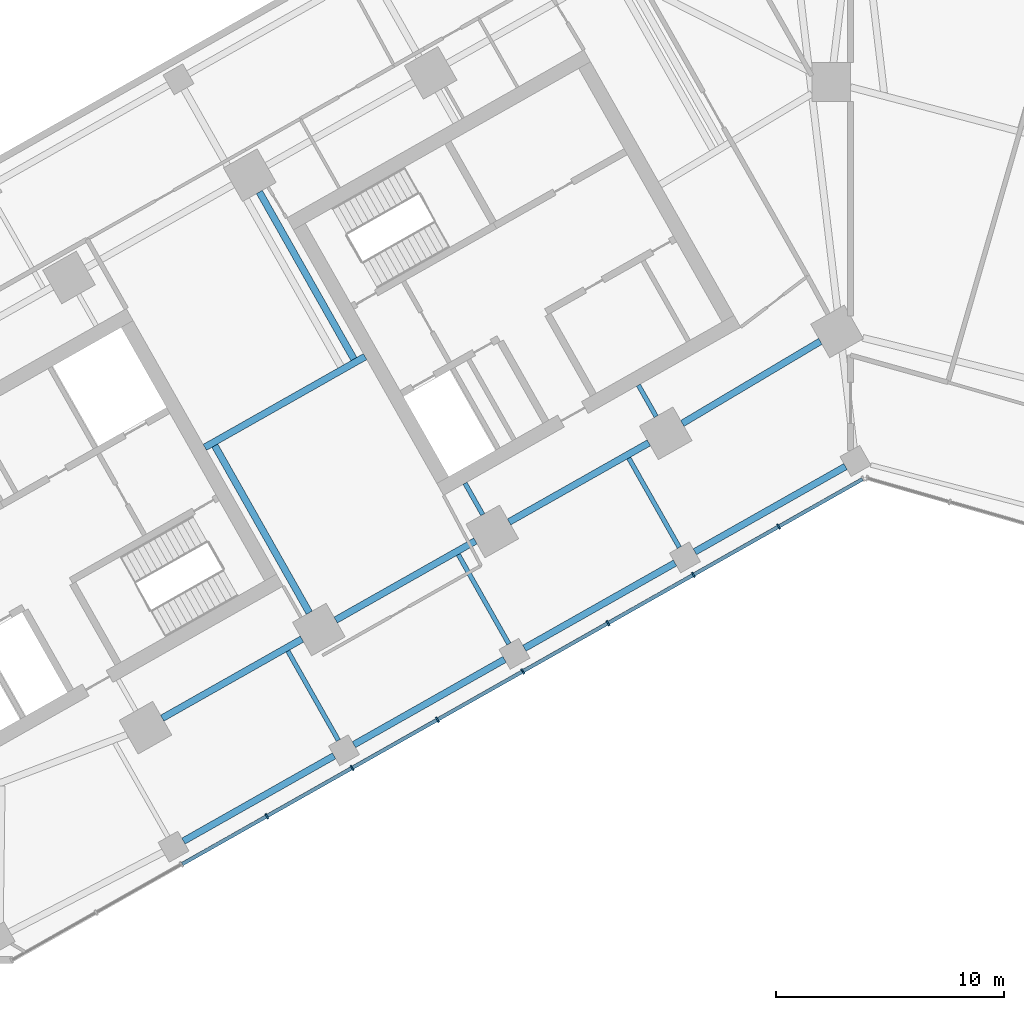
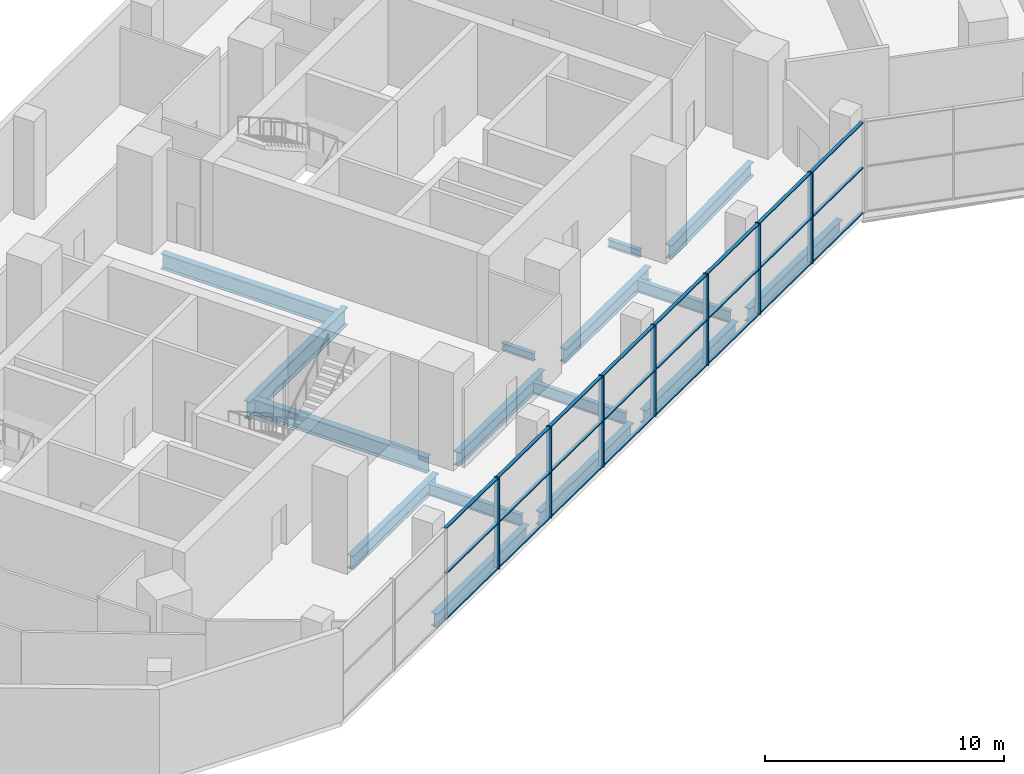
# One storey, part 3 of 15: 31 members, 16 beams, 1 element without a shape of its own.
"""IFC4 building model written with IfcOpenShell, lengths in metres."""

from ifc_helpers import new_model, si_unit, direction, frame, origin, origin_2d, place, context, subcontext, project, spatial, rectangle, i_section, extrude, material, material_profile, profile_set, type_object, element, aggregate, save


model = new_model("IFC4")

# Units and contexts
model_context = context("Model", 3, precision=1e-05, world=origin(), true_north=direction((0.0, 1.0)))
body_context = subcontext(model_context, "Body", "Model", "MODEL_VIEW")
ifc_project = project(units=[si_unit("LENGTHUNIT", "METRE"), si_unit("AREAUNIT", "SQUARE_METRE"), si_unit("VOLUMEUNIT", "CUBIC_METRE"), si_unit("PLANEANGLEUNIT", "RADIAN"), si_unit("MASSUNIT", "GRAM", prefix="KILO")], contexts=[model_context])

# Site, building, storey
site_placement = place(None, origin())
site = spatial("IfcSite", under=ifc_project, at=site_placement, CompositionType="ELEMENT")
building_placement = place(site_placement, origin())
building = spatial("IfcBuilding", under=site, at=building_placement, Name="Binnacle Exchange Tower", CompositionType="ELEMENT")
storey_placement = place(building_placement, frame((0.0, 0.0, 16.5)))
storey = spatial("IfcBuildingStorey", under=building, at=storey_placement, Name="L03", CompositionType="ELEMENT", Elevation=16.5)

# Curtain wall, members
ifc_material_1 = material(Name="Bronze anodised aluminium frame", Category="aluminium")
curtain_wall_type = type_object("IfcCurtainWallType", Name="External wall - curtain wall podium harbour front", PredefinedType="NOTDEFINED", material=ifc_material_1)
curtain_wall_placement = place(storey_placement, origin())
curtain_wall = element("IfcCurtainWall", 1, at=curtain_wall_placement, inside=storey, type_object=curtain_wall_type, Name="External wall curtain wall CW3-P06 L03", PredefinedType="NOTDEFINED")
ifc_material_profile_1 = material_profile(ifc_material_1, rectangle(XDim=0.25, YDim=0.070068359375, at=origin_2d()), Name="AL 70x250")
ifc_profile_set_1 = profile_set([ifc_material_profile_1], Name="Bronze anodised aluminium frame")
member_type_1 = type_object("IfcMemberType", Name="CW3 MULLION 70x250", PredefinedType="MULLION", material=ifc_profile_set_1)
member_1_placement = place(storey_placement, frame((-25.6416015625, 27.747802734375, 0.0), z_axis=(0.0, 0.0, 1.0), x_axis=(-0.492423763004, 0.870355581144, 0.0)))
member_1 = element("IfcMember", 2, at=member_1_placement, type_object=member_type_1, Name="CW3-P06 mullion 4", PredefinedType="MULLION", context=body_context, shape_type="SweptSolid", body=[
    extrude(rectangle(XDim=0.25, YDim=0.070068359375, at=origin_2d()), origin(), (0.0, 0.0, 1.0), 4.64990234375),
])
member_2_placement = place(storey_placement, frame((-21.89404296875, 29.8681640625, 0.0), z_axis=(0.0, 0.0, 1.0), x_axis=(-0.492423763004, 0.870355581144, 0.0)))
member_2 = element("IfcMember", 3, at=member_2_placement, type_object=member_type_1, Name="CW3-P06 mullion 5", PredefinedType="MULLION", context=body_context, shape_type="SweptSolid", body=[
    extrude(rectangle(XDim=0.25, YDim=0.070068359375, at=origin_2d()), origin(), (0.0, 0.0, 1.0), 4.64990234375),
])
member_3_placement = place(storey_placement, frame((-18.146484375, 31.988525390625, 0.0), z_axis=(0.0, 0.0, 1.0), x_axis=(-0.492423763004, 0.870355581144, 0.0)))
member_3 = element("IfcMember", 4, at=member_3_placement, type_object=member_type_1, Name="CW3-P06 mullion 6", PredefinedType="MULLION", context=body_context, shape_type="SweptSolid", body=[
    extrude(rectangle(XDim=0.25, YDim=0.070068359375, at=origin_2d()), origin(), (0.0, 0.0, 1.0), 4.64990234375),
])
member_4_placement = place(storey_placement, frame((-14.39892578125, 34.108642578125, 0.0), z_axis=(0.0, 0.0, 1.0), x_axis=(-0.492423763004, 0.870355581144, 0.0)))
member_4 = element("IfcMember", 5, at=member_4_placement, type_object=member_type_1, Name="CW3-P06 mullion 7", PredefinedType="MULLION", context=body_context, shape_type="SweptSolid", body=[
    extrude(rectangle(XDim=0.25, YDim=0.070068359375, at=origin_2d()), origin(), (0.0, 0.0, 1.0), 4.64990234375),
])
member_5_placement = place(storey_placement, frame((-10.651123046875, 36.22900390625, 0.0), z_axis=(0.0, 0.0, 1.0), x_axis=(-0.492423763004, 0.870355581144, 0.0)))
member_5 = element("IfcMember", 6, at=member_5_placement, type_object=member_type_1, Name="CW3-P06 mullion 8", PredefinedType="MULLION", context=body_context, shape_type="SweptSolid", body=[
    extrude(rectangle(XDim=0.25, YDim=0.070068359375, at=origin_2d()), origin(), (0.0, 0.0, 1.0), 4.64990234375),
])
member_6_placement = place(storey_placement, frame((-6.903564453125, 38.349365234375, 0.0), z_axis=(0.0, 0.0, 1.0), x_axis=(-0.492423763004, 0.870355581144, 0.0)))
member_6 = element("IfcMember", 7, at=member_6_placement, type_object=member_type_1, Name="CW3-P06 mullion 9", PredefinedType="MULLION", context=body_context, shape_type="SweptSolid", body=[
    extrude(rectangle(XDim=0.25, YDim=0.070068359375, at=origin_2d()), origin(), (0.0, 0.0, 1.0), 4.64990234375),
])
member_7_placement = place(storey_placement, frame((-3.156005859375, 40.4697265625, 0.0), z_axis=(0.0, 0.0, 1.0), x_axis=(-0.492423763004, 0.870355581144, 0.0)))
member_7 = element("IfcMember", 8, at=member_7_placement, type_object=member_type_1, Name="CW3-P06 mullion 10", PredefinedType="MULLION", context=body_context, shape_type="SweptSolid", body=[
    extrude(rectangle(XDim=0.25, YDim=0.070068359375, at=origin_2d()), origin(), (0.0, 0.0, 1.0), 4.64990234375),
])
ifc_material_profile_2 = material_profile(ifc_material_1, rectangle(XDim=0.159912109375, YDim=0.050048828125, at=origin_2d()), Name="AL 160x50")
ifc_profile_set_2 = profile_set([ifc_material_profile_2], Name="Bronze anodised aluminium frame")
member_type_2 = type_object("IfcMemberType", Name="CW3 TRANSOM 50x160", PredefinedType="USERDEFINED", material=ifc_profile_set_2)
member_8_placement = place(storey_placement, frame((-29.35888671875, 25.644775390625, 0.02490234375), z_axis=(0.870373844637, 0.49239148101, 0.0), x_axis=(-0.49239148101, 0.870373844637, 0.0)))
member_8 = element("IfcMember", 9, at=member_8_placement, type_object=member_type_2, Name="CW3-P06 transom 3.1", ObjectType="TRANSOM", PredefinedType="USERDEFINED", context=body_context, shape_type="SweptSolid", body=[
    extrude(rectangle(XDim=0.159912109375, YDim=0.050048828125, at=origin_2d()), origin(), (0.0, 0.0, 1.0), 4.23583984375),
])
member_9_placement = place(storey_placement, frame((-29.35888671875, 25.644775390625, 2.324951171875), z_axis=(0.870373844637, 0.49239148101, 0.0), x_axis=(-0.49239148101, 0.870373844637, 0.0)))
member_9 = element("IfcMember", 10, at=member_9_placement, type_object=member_type_2, Name="CW3-P06 transom 3.2", ObjectType="TRANSOM", PredefinedType="USERDEFINED", context=body_context, shape_type="SweptSolid", body=[
    extrude(rectangle(XDim=0.159912109375, YDim=0.050048828125, at=origin_2d()), origin(), (0.0, 0.0, 1.0), 4.23583984375),
])
member_10_placement = place(storey_placement, frame((-29.35888671875, 25.644775390625, 4.625), z_axis=(0.870373844637, 0.49239148101, 0.0), x_axis=(-0.49239148101, 0.870373844637, 0.0)))
member_10 = element("IfcMember", 11, at=member_10_placement, type_object=member_type_2, Name="CW3-P06 transom 3.3", ObjectType="TRANSOM", PredefinedType="USERDEFINED", context=body_context, shape_type="SweptSolid", body=[
    extrude(rectangle(XDim=0.159912109375, YDim=0.050048828125, at=origin_2d()), origin(), (0.0, 0.0, 1.0), 4.23583984375),
])
member_11_placement = place(storey_placement, frame((-25.611083984375, 27.76513671875, 0.02490234375), z_axis=(0.870359869571, 0.492416183162, 0.0), x_axis=(-0.492416183162, 0.870359869571, 0.0)))
member_11 = element("IfcMember", 12, at=member_11_placement, type_object=member_type_2, Name="CW3-P06 transom 4.1", ObjectType="TRANSOM", PredefinedType="USERDEFINED", context=body_context, shape_type="SweptSolid", body=[
    extrude(rectangle(XDim=0.159912109375, YDim=0.050048828125, at=origin_2d()), origin(), (0.0, 0.0, 1.0), 4.235595703125),
])
member_12_placement = place(storey_placement, frame((-25.611083984375, 27.76513671875, 2.324951171875), z_axis=(0.870359869571, 0.492416183162, 0.0), x_axis=(-0.492416183162, 0.870359869571, 0.0)))
member_12 = element("IfcMember", 13, at=member_12_placement, type_object=member_type_2, Name="CW3-P06 transom 4.2", ObjectType="TRANSOM", PredefinedType="USERDEFINED", context=body_context, shape_type="SweptSolid", body=[
    extrude(rectangle(XDim=0.159912109375, YDim=0.050048828125, at=origin_2d()), origin(), (0.0, 0.0, 1.0), 4.235595703125),
])
member_13_placement = place(storey_placement, frame((-25.611083984375, 27.76513671875, 4.625), z_axis=(0.870359869571, 0.492416183162, 0.0), x_axis=(-0.492416183162, 0.870359869571, 0.0)))
member_13 = element("IfcMember", 14, at=member_13_placement, type_object=member_type_2, Name="CW3-P06 transom 4.3", ObjectType="TRANSOM", PredefinedType="USERDEFINED", context=body_context, shape_type="SweptSolid", body=[
    extrude(rectangle(XDim=0.159912109375, YDim=0.050048828125, at=origin_2d()), origin(), (0.0, 0.0, 1.0), 4.235595703125),
])
member_14_placement = place(storey_placement, frame((-21.863525390625, 29.88525390625, 0.02490234375), z_axis=(0.870335165984, 0.492459844912, 0.0), x_axis=(-0.492459844912, 0.870335165984, 0.0)))
member_14 = element("IfcMember", 15, at=member_14_placement, type_object=member_type_2, Name="CW3-P06 transom 5.1", ObjectType="TRANSOM", PredefinedType="USERDEFINED", context=body_context, shape_type="SweptSolid", body=[
    extrude(rectangle(XDim=0.159912109375, YDim=0.050048828125, at=origin_2d()), origin(), (0.0, 0.0, 1.0), 4.23583984375),
])
member_15_placement = place(storey_placement, frame((-21.863525390625, 29.88525390625, 2.324951171875), z_axis=(0.870335165984, 0.492459844912, 0.0), x_axis=(-0.492459844912, 0.870335165984, 0.0)))
member_15 = element("IfcMember", 16, at=member_15_placement, type_object=member_type_2, Name="CW3-P06 transom 5.2", ObjectType="TRANSOM", PredefinedType="USERDEFINED", context=body_context, shape_type="SweptSolid", body=[
    extrude(rectangle(XDim=0.159912109375, YDim=0.050048828125, at=origin_2d()), origin(), (0.0, 0.0, 1.0), 4.23583984375),
])
member_16_placement = place(storey_placement, frame((-21.863525390625, 29.88525390625, 4.625), z_axis=(0.870335165984, 0.492459844912, 0.0), x_axis=(-0.492459844912, 0.870335165984, 0.0)))
member_16 = element("IfcMember", 17, at=member_16_placement, type_object=member_type_2, Name="CW3-P06 transom 5.3", ObjectType="TRANSOM", PredefinedType="USERDEFINED", context=body_context, shape_type="SweptSolid", body=[
    extrude(rectangle(XDim=0.159912109375, YDim=0.050048828125, at=origin_2d()), origin(), (0.0, 0.0, 1.0), 4.23583984375),
])
member_17_placement = place(storey_placement, frame((-18.115966796875, 32.005615234375, 0.02490234375), z_axis=(0.870349143132, 0.492435141972, 0.0), x_axis=(-0.492435141972, 0.870349143132, 0.0)))
member_17 = element("IfcMember", 18, at=member_17_placement, type_object=member_type_2, Name="CW3-P06 transom 6.1", ObjectType="TRANSOM", PredefinedType="USERDEFINED", context=body_context, shape_type="SweptSolid", body=[
    extrude(rectangle(XDim=0.159912109375, YDim=0.050048828125, at=origin_2d()), origin(), (0.0, 0.0, 1.0), 4.236083984375),
])
member_18_placement = place(storey_placement, frame((-18.115966796875, 32.005615234375, 2.324951171875), z_axis=(0.870349143132, 0.492435141972, 0.0), x_axis=(-0.492435141972, 0.870349143132, 0.0)))
member_18 = element("IfcMember", 19, at=member_18_placement, type_object=member_type_2, Name="CW3-P06 transom 6.2", ObjectType="TRANSOM", PredefinedType="USERDEFINED", context=body_context, shape_type="SweptSolid", body=[
    extrude(rectangle(XDim=0.159912109375, YDim=0.050048828125, at=origin_2d()), origin(), (0.0, 0.0, 1.0), 4.236083984375),
])
member_19_placement = place(storey_placement, frame((-18.115966796875, 32.005615234375, 4.625), z_axis=(0.870349143132, 0.492435141972, 0.0), x_axis=(-0.492435141972, 0.870349143132, 0.0)))
member_19 = element("IfcMember", 20, at=member_19_placement, type_object=member_type_2, Name="CW3-P06 transom 6.3", ObjectType="TRANSOM", PredefinedType="USERDEFINED", context=body_context, shape_type="SweptSolid", body=[
    extrude(rectangle(XDim=0.159912109375, YDim=0.050048828125, at=origin_2d()), origin(), (0.0, 0.0, 1.0), 4.236083984375),
])
member_20_placement = place(storey_placement, frame((-14.368408203125, 34.1259765625, 0.02490234375), z_axis=(0.870373844637, 0.49239148101, 0.0), x_axis=(-0.49239148101, 0.870373844637, 0.0)))
member_20 = element("IfcMember", 21, at=member_20_placement, type_object=member_type_2, Name="CW3-P06 transom 7.1", ObjectType="TRANSOM", PredefinedType="USERDEFINED", context=body_context, shape_type="SweptSolid", body=[
    extrude(rectangle(XDim=0.159912109375, YDim=0.050048828125, at=origin_2d()), origin(), (0.0, 0.0, 1.0), 4.23583984375),
])
member_21_placement = place(storey_placement, frame((-14.368408203125, 34.1259765625, 2.324951171875), z_axis=(0.870373844637, 0.49239148101, 0.0), x_axis=(-0.49239148101, 0.870373844637, 0.0)))
member_21 = element("IfcMember", 22, at=member_21_placement, type_object=member_type_2, Name="CW3-P06 transom 7.2", ObjectType="TRANSOM", PredefinedType="USERDEFINED", context=body_context, shape_type="SweptSolid", body=[
    extrude(rectangle(XDim=0.159912109375, YDim=0.050048828125, at=origin_2d()), origin(), (0.0, 0.0, 1.0), 4.23583984375),
])
member_22_placement = place(storey_placement, frame((-14.368408203125, 34.1259765625, 4.625), z_axis=(0.870373844637, 0.49239148101, 0.0), x_axis=(-0.49239148101, 0.870373844637, 0.0)))
member_22 = element("IfcMember", 23, at=member_22_placement, type_object=member_type_2, Name="CW3-P06 transom 7.3", ObjectType="TRANSOM", PredefinedType="USERDEFINED", context=body_context, shape_type="SweptSolid", body=[
    extrude(rectangle(XDim=0.159912109375, YDim=0.050048828125, at=origin_2d()), origin(), (0.0, 0.0, 1.0), 4.23583984375),
])
member_23_placement = place(storey_placement, frame((-10.620849609375, 36.246337890625, 0.02490234375), z_axis=(0.870373844637, 0.49239148101, 0.0), x_axis=(-0.49239148101, 0.870373844637, 0.0)))
member_23 = element("IfcMember", 24, at=member_23_placement, type_object=member_type_2, Name="CW3-P06 transom 8.1", ObjectType="TRANSOM", PredefinedType="USERDEFINED", context=body_context, shape_type="SweptSolid", body=[
    extrude(rectangle(XDim=0.159912109375, YDim=0.050048828125, at=origin_2d()), origin(), (0.0, 0.0, 1.0), 4.23583984375),
])
member_24_placement = place(storey_placement, frame((-10.620849609375, 36.246337890625, 2.324951171875), z_axis=(0.870373844637, 0.49239148101, 0.0), x_axis=(-0.49239148101, 0.870373844637, 0.0)))
member_24 = element("IfcMember", 25, at=member_24_placement, type_object=member_type_2, Name="CW3-P06 transom 8.2", ObjectType="TRANSOM", PredefinedType="USERDEFINED", context=body_context, shape_type="SweptSolid", body=[
    extrude(rectangle(XDim=0.159912109375, YDim=0.050048828125, at=origin_2d()), origin(), (0.0, 0.0, 1.0), 4.23583984375),
])
member_25_placement = place(storey_placement, frame((-10.620849609375, 36.246337890625, 4.625), z_axis=(0.870373844637, 0.49239148101, 0.0), x_axis=(-0.49239148101, 0.870373844637, 0.0)))
member_25 = element("IfcMember", 26, at=member_25_placement, type_object=member_type_2, Name="CW3-P06 transom 8.3", ObjectType="TRANSOM", PredefinedType="USERDEFINED", context=body_context, shape_type="SweptSolid", body=[
    extrude(rectangle(XDim=0.159912109375, YDim=0.050048828125, at=origin_2d()), origin(), (0.0, 0.0, 1.0), 4.23583984375),
])
member_26_placement = place(storey_placement, frame((-6.873046875, 38.366455078125, 0.02490234375), z_axis=(0.870335165984, 0.492459844912, 0.0), x_axis=(-0.492459844912, 0.870335165984, 0.0)))
member_26 = element("IfcMember", 27, at=member_26_placement, type_object=member_type_2, Name="CW3-P06 transom 9.1", ObjectType="TRANSOM", PredefinedType="USERDEFINED", context=body_context, shape_type="SweptSolid", body=[
    extrude(rectangle(XDim=0.159912109375, YDim=0.050048828125, at=origin_2d()), origin(), (0.0, 0.0, 1.0), 4.23583984375),
])
member_27_placement = place(storey_placement, frame((-6.873046875, 38.366455078125, 2.324951171875), z_axis=(0.870335165984, 0.492459844912, 0.0), x_axis=(-0.492459844912, 0.870335165984, 0.0)))
member_27 = element("IfcMember", 28, at=member_27_placement, type_object=member_type_2, Name="CW3-P06 transom 9.2", ObjectType="TRANSOM", PredefinedType="USERDEFINED", context=body_context, shape_type="SweptSolid", body=[
    extrude(rectangle(XDim=0.159912109375, YDim=0.050048828125, at=origin_2d()), origin(), (0.0, 0.0, 1.0), 4.23583984375),
])
member_28_placement = place(storey_placement, frame((-6.873046875, 38.366455078125, 4.625), z_axis=(0.870335165984, 0.492459844912, 0.0), x_axis=(-0.492459844912, 0.870335165984, 0.0)))
member_28 = element("IfcMember", 29, at=member_28_placement, type_object=member_type_2, Name="CW3-P06 transom 9.3", ObjectType="TRANSOM", PredefinedType="USERDEFINED", context=body_context, shape_type="SweptSolid", body=[
    extrude(rectangle(XDim=0.159912109375, YDim=0.050048828125, at=origin_2d()), origin(), (0.0, 0.0, 1.0), 4.23583984375),
])
member_29_placement = place(storey_placement, frame((-3.12548828125, 40.48681640625, 0.02490234375), z_axis=(0.870356022884, 0.492422982231, 0.0), x_axis=(-0.492422982231, 0.870356022884, 0.0)))
member_29 = element("IfcMember", 30, at=member_29_placement, type_object=member_type_2, Name="CW3-P06 transom 10.1", ObjectType="TRANSOM", PredefinedType="USERDEFINED", context=body_context, shape_type="SweptSolid", body=[
    extrude(rectangle(XDim=0.159912109375, YDim=0.050048828125, at=origin_2d()), origin(), (0.0, 0.0, 1.0), 4.200927734375),
])
member_30_placement = place(storey_placement, frame((-3.12548828125, 40.48681640625, 2.324951171875), z_axis=(0.870356022884, 0.492422982231, 0.0), x_axis=(-0.492422982231, 0.870356022884, 0.0)))
member_30 = element("IfcMember", 31, at=member_30_placement, type_object=member_type_2, Name="CW3-P06 transom 10.2", ObjectType="TRANSOM", PredefinedType="USERDEFINED", context=body_context, shape_type="SweptSolid", body=[
    extrude(rectangle(XDim=0.159912109375, YDim=0.050048828125, at=origin_2d()), origin(), (0.0, 0.0, 1.0), 4.200927734375),
])
member_31_placement = place(storey_placement, frame((-3.12548828125, 40.48681640625, 4.625), z_axis=(0.870356022884, 0.492422982231, 0.0), x_axis=(-0.492422982231, 0.870356022884, 0.0)))
member_31 = element("IfcMember", 32, at=member_31_placement, type_object=member_type_2, Name="CW3-P06 transom 10.3", ObjectType="TRANSOM", PredefinedType="USERDEFINED", context=body_context, shape_type="SweptSolid", body=[
    extrude(rectangle(XDim=0.159912109375, YDim=0.050048828125, at=origin_2d()), origin(), (0.0, 0.0, 1.0), 4.200927734375),
])
aggregate(curtain_wall, [member_1, member_2, member_3, member_4, member_5, member_6, member_7, member_8, member_9, member_10, member_11, member_12, member_13, member_14, member_15, member_16, member_17, member_18, member_19, member_20, member_21, member_22, member_23, member_24, member_25, member_26, member_27, member_28, member_29, member_30, member_31])

# Beams
ifc_material_2 = material(Name="Steel S355 (SHN355)", Category="steel")
ifc_material_profile_3 = material_profile(ifc_material_2, i_section(OverallWidth=0.300048828125, OverallDepth=0.699951171875, WebThickness=0.012939453125, FlangeThickness=0.02392578125, FilletRadius=0.028076171875, at=origin_2d()), Name="H 700x300x13x24")
ifc_profile_set_3 = profile_set([ifc_material_profile_3], Name="Steel S355 (SHN355)")
beam_type_1 = type_object("IfcBeamType", Name="Edge girder H 700x300x13x24 Steel S355 (SHN355)", PredefinedType="SPANDREL", material=ifc_profile_set_3)
beam_1_placement = place(storey_placement, frame((-30.23583984375, 32.053955078125, -0.699951171875), z_axis=(0.870373276953, 0.492392484473, 0.0), x_axis=(-0.492392484473, 0.870373276953, 0.0)))
element("IfcBeam", 33, at=beam_1_placement, inside=storey, type_object=beam_type_1, Name="S:BM:edge:L03:028", PredefinedType="SPANDREL", context=body_context, shape_type="SweptSolid", body=[
    extrude(i_section(OverallWidth=0.300048828125, OverallDepth=0.699951171875, WebThickness=0.012939453125, FlangeThickness=0.02392578125, FilletRadius=0.028076171875, at=origin_2d()), origin(), (0.0, 0.0, 1.0), 7.0546875),
])
beam_2_placement = place(storey_placement, frame((-22.68603515625, 30.396728515625, -0.699951171875), z_axis=(-0.870352907673, -0.492428488316, 0.0), x_axis=(0.492428488316, -0.870352907673, 0.0)))
element("IfcBeam", 34, at=beam_2_placement, inside=storey, type_object=beam_type_1, Name="S:BM:edge:L03:032", PredefinedType="SPANDREL", context=body_context, shape_type="SweptSolid", body=[
    extrude(i_section(OverallWidth=0.300048828125, OverallDepth=0.699951171875, WebThickness=0.012939453125, FlangeThickness=0.02392578125, FilletRadius=0.028076171875, at=origin_2d()), origin(), (0.0, 0.0, 1.0), 7.60546875),
])
beam_3_placement = place(storey_placement, frame((-22.6162109375, 36.36474609375, -0.699951171875), z_axis=(0.870350053651, 0.492433532681, 0.0), x_axis=(-0.492433532681, 0.870350053651, 0.0)))
element("IfcBeam", 35, at=beam_3_placement, inside=storey, type_object=beam_type_1, Name="S:BM:edge:L03:033", PredefinedType="SPANDREL", context=body_context, shape_type="SweptSolid", body=[
    extrude(i_section(OverallWidth=0.300048828125, OverallDepth=0.699951171875, WebThickness=0.012939453125, FlangeThickness=0.02392578125, FilletRadius=0.028076171875, at=origin_2d()), origin(), (0.0, 0.0, 1.0), 7.054443359375),
])
beam_4_placement = place(storey_placement, frame((-15.1962890625, 34.63427734375, -0.699951171875), z_axis=(-0.870352907673, -0.492428488316, 0.0), x_axis=(0.492428488316, -0.870352907673, 0.0)))
element("IfcBeam", 36, at=beam_4_placement, inside=storey, type_object=beam_type_1, Name="S:BM:edge:L03:036", PredefinedType="SPANDREL", context=body_context, shape_type="SweptSolid", body=[
    extrude(i_section(OverallWidth=0.300048828125, OverallDepth=0.699951171875, WebThickness=0.012939453125, FlangeThickness=0.02392578125, FilletRadius=0.028076171875, at=origin_2d()), origin(), (0.0, 0.0, 1.0), 7.60546875),
])
beam_5_placement = place(storey_placement, frame((-14.99658203125, 40.67578125, -0.699951171875), z_axis=(0.870364886025, 0.492407316329, 0.0), x_axis=(-0.492407316329, 0.870364886025, 0.0)))
element("IfcBeam", 37, at=beam_5_placement, inside=storey, type_object=beam_type_1, Name="S:BM:edge:L03:037", PredefinedType="SPANDREL", context=body_context, shape_type="SweptSolid", body=[
    extrude(i_section(OverallWidth=0.300048828125, OverallDepth=0.699951171875, WebThickness=0.012939453125, FlangeThickness=0.02392578125, FilletRadius=0.028076171875, at=origin_2d()), origin(), (0.0, 0.0, 1.0), 7.054443359375),
])
beam_6_placement = place(storey_placement, frame((-7.706298828125, 38.871826171875, -0.699951171875), z_axis=(-0.870352907673, -0.492428488316, 0.0), x_axis=(0.492428488316, -0.870352907673, 0.0)))
element("IfcBeam", 38, at=beam_6_placement, inside=storey, type_object=beam_type_1, Name="S:BM:edge:L03:040", PredefinedType="SPANDREL", context=body_context, shape_type="SweptSolid", body=[
    extrude(i_section(OverallWidth=0.300048828125, OverallDepth=0.699951171875, WebThickness=0.012939453125, FlangeThickness=0.02392578125, FilletRadius=0.028076171875, at=origin_2d()), origin(), (0.0, 0.0, 1.0), 7.60546875),
])
beam_7_placement = place(storey_placement, frame((-7.38623046875, 45.002685546875, -0.699951171875), z_axis=(0.859464815262, 0.511194905419, 0.0), x_axis=(-0.511194905419, 0.859464815262, 0.0)))
element("IfcBeam", 39, at=beam_7_placement, inside=storey, type_object=beam_type_1, Name="S:BM:edge:L03:041", PredefinedType="SPANDREL", context=body_context, shape_type="SweptSolid", body=[
    extrude(i_section(OverallWidth=0.300048828125, OverallDepth=0.699951171875, WebThickness=0.012939453125, FlangeThickness=0.02392578125, FilletRadius=0.028076171875, at=origin_2d()), origin(), (0.0, 0.0, 1.0), 7.056396484375),
])
beam_8_placement = place(storey_placement, frame((-0.216552734375, 43.109375, -0.699951171875), z_axis=(-0.870352907673, -0.492428488316, 0.0), x_axis=(0.492428488316, -0.870352907673, 0.0)))
element("IfcBeam", 40, at=beam_8_placement, inside=storey, type_object=beam_type_1, Name="S:BM:edge:L03:044", PredefinedType="SPANDREL", context=body_context, shape_type="SweptSolid", body=[
    extrude(i_section(OverallWidth=0.300048828125, OverallDepth=0.699951171875, WebThickness=0.012939453125, FlangeThickness=0.02392578125, FilletRadius=0.028076171875, at=origin_2d()), origin(), (0.0, 0.0, 1.0), 7.60546875),
])
ifc_material_profile_4 = material_profile(ifc_material_2, i_section(OverallWidth=0.199951171875, OverallDepth=0.39990234375, WebThickness=0.008056640625, FlangeThickness=0.012939453125, FilletRadius=0.01611328125, at=origin_2d()), Name="H 400x200x8x13")
ifc_profile_set_4 = profile_set([ifc_material_profile_4], Name="Steel S355 (SHN355)")
beam_type_2 = type_object("IfcBeamType", Name="Floor beam H 400x200x8x13 Steel S355 (SHN355)", PredefinedType="BEAM", material=ifc_profile_set_4)
beam_9_placement = place(storey_placement, frame((-16.155029296875, 40.9970703125, -0.550048828125), z_axis=(-0.492366981934, 0.870387703901, 0.0), x_axis=(-0.870387703901, -0.492366981934, 0.0)))
element("IfcBeam", 41, at=beam_9_placement, inside=storey, type_object=beam_type_2, Name="S:BM:cross:L03:095", PredefinedType="BEAM", context=body_context, shape_type="SweptSolid", body=[
    extrude(i_section(OverallWidth=0.199951171875, OverallDepth=0.39990234375, WebThickness=0.008056640625, FlangeThickness=0.012939453125, FilletRadius=0.01611328125, at=origin_2d()), origin(), (0.0, 0.0, 1.0), 1.584228515625),
])
beam_10_placement = place(storey_placement, frame((-8.535400390625, 45.307861328125, -0.550048828125), z_axis=(-0.492483715062, 0.870321659158, 0.0), x_axis=(-0.870321659158, -0.492483715062, 0.0)))
element("IfcBeam", 42, at=beam_10_placement, inside=storey, type_object=beam_type_2, Name="S:BM:cross:L03:099", PredefinedType="BEAM", context=body_context, shape_type="SweptSolid", body=[
    extrude(i_section(OverallWidth=0.199951171875, OverallDepth=0.39990234375, WebThickness=0.008056640625, FlangeThickness=0.012939453125, FilletRadius=0.01611328125, at=origin_2d()), origin(), (0.0, 0.0, 1.0), 1.58447265625),
])
ifc_material_profile_5 = material_profile(ifc_material_2, i_section(OverallWidth=0.199951171875, OverallDepth=0.60009765625, WebThickness=0.010986328125, FlangeThickness=0.01708984375, FilletRadius=0.02197265625, at=origin_2d()), Name="H 600x200x11x17")
ifc_profile_set_5 = profile_set([ifc_material_profile_5], Name="Steel S355 (SHN355)")
beam_type_3 = type_object("IfcBeamType", Name="Floor beam H 600x200x11x17 Steel S355 (SHN355)", PredefinedType="BEAM", material=ifc_profile_set_5)
for number, where, z_axis, x_axis, name in (
    (43, (-22.4970703125, 31.078125, -0.64990234375), (-0.492403272389, 0.870367173864, 0.0), (-0.870367173864, -0.492403272389, 0.0), "S:BM:cross:L03:093"),
    (44, (-15.007080078125, 35.315673828125, -0.64990234375), (-0.4924442794, 0.8703439732, 0.0), (-0.8703439732, -0.4924442794, 0.0), "S:BM:cross:L03:096"),
    (45, (-7.517333984375, 39.55322265625, -0.64990234375), (-0.4924442794, 0.8703439732, 0.0), (-0.8703439732, -0.4924442794, 0.0), "S:BM:cross:L03:100"),
):
    element("IfcBeam", number, at=place(storey_placement, frame(where, z_axis=z_axis, x_axis=x_axis)), inside=storey, type_object=beam_type_3, Name=name, PredefinedType="BEAM", context=body_context, shape_type="SweptSolid", body=[
        extrude(i_section(OverallWidth=0.199951171875, OverallDepth=0.60009765625, WebThickness=0.010986328125, FlangeThickness=0.01708984375, FilletRadius=0.02197265625, at=origin_2d()), origin(), (0.0, 0.0, 1.0), 4.510009765625),
    ])
ifc_material_profile_6 = material_profile(ifc_material_2, i_section(OverallWidth=0.302001953125, OverallDepth=0.80810546875, WebThickness=0.01611328125, FlangeThickness=0.030029296875, FilletRadius=0.028076171875, at=origin_2d()), Name="H 808x302x16x30")
ifc_profile_set_6 = profile_set([ifc_material_profile_6], Name="Steel S355 (SHN355)")
beam_type_4 = type_object("IfcBeamType", Name="Floor beam H 808x302x16x30 Steel S355 (SHN355)", PredefinedType="BEAM", material=ifc_profile_set_6)
for number, where, z_axis, x_axis, name in (
    (46, (-25.968994140625, 55.17041015625, -0.75390625), (0.492409177884, -0.870363832851, 0.0), (0.870363832851, 0.492409177884, 0.0), "S:BM:cross:L03:091"),
    (47, (-23.774658203125, 36.68603515625, -0.75390625), (-0.492409177884, 0.870363832851, 0.0), (-0.870363832851, -0.492409177884, 0.0), "S:BM:cross:L03:092"),
):
    element("IfcBeam", number, at=place(storey_placement, frame(where, z_axis=z_axis, x_axis=x_axis)), inside=storey, type_object=beam_type_4, Name=name, PredefinedType="BEAM", context=body_context, shape_type="SweptSolid", body=[
        extrude(i_section(OverallWidth=0.302001953125, OverallDepth=0.80810546875, WebThickness=0.01611328125, FlangeThickness=0.030029296875, FilletRadius=0.028076171875, at=origin_2d()), origin(), (0.0, 0.0, 1.0), 8.43408203125),
    ])
ifc_material_profile_7 = material_profile(ifc_material_2, i_section(OverallWidth=0.302978515625, OverallDepth=0.91796875, WebThickness=0.01904296875, FlangeThickness=0.037109375, FilletRadius=0.028076171875, at=origin_2d()), Name="H 918x303x19x37")
ifc_profile_set_7 = profile_set([ifc_material_profile_7], Name="Steel S355 (SHN355)")
beam_type_5 = type_object("IfcBeamType", Name="Spine girder H 918x303x19x37 Steel S355 (SHN355)", PredefinedType="BEAM", material=ifc_profile_set_7)
beam_11_placement = place(storey_placement, frame((-28.365478515625, 43.951416015625, -0.80908203125), z_axis=(0.870350319004, 0.492433063684, 0.0), x_axis=(-0.492433063684, 0.870350319004, 0.0)))
element("IfcBeam", 48, at=beam_11_placement, inside=storey, type_object=beam_type_5, Name="S:BM:spine:L03:002", PredefinedType="BEAM", context=body_context, shape_type="SweptSolid", body=[
    extrude(i_section(OverallWidth=0.302978515625, OverallDepth=0.91796875, WebThickness=0.01904296875, FlangeThickness=0.037109375, FilletRadius=0.028076171875, at=origin_2d()), origin(), (0.0, 0.0, 1.0), 8.0908203125),
])

save(model, "model.ifc")
